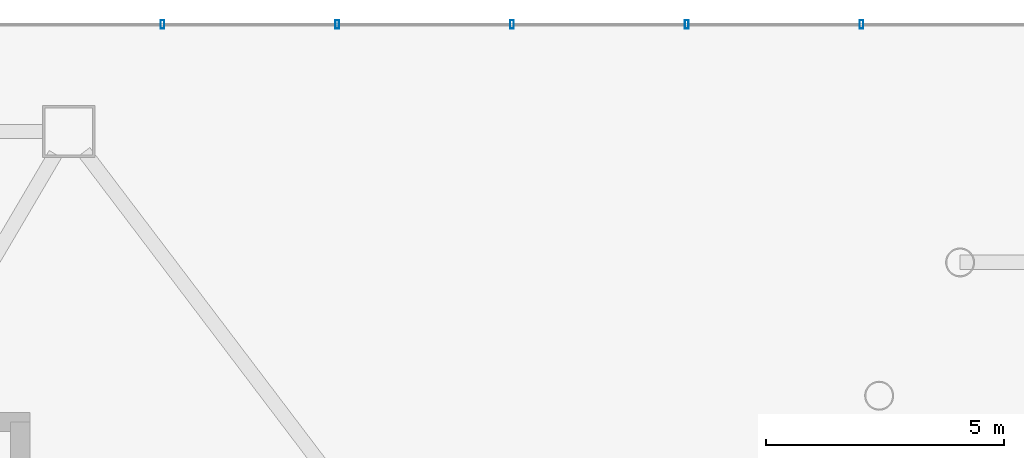
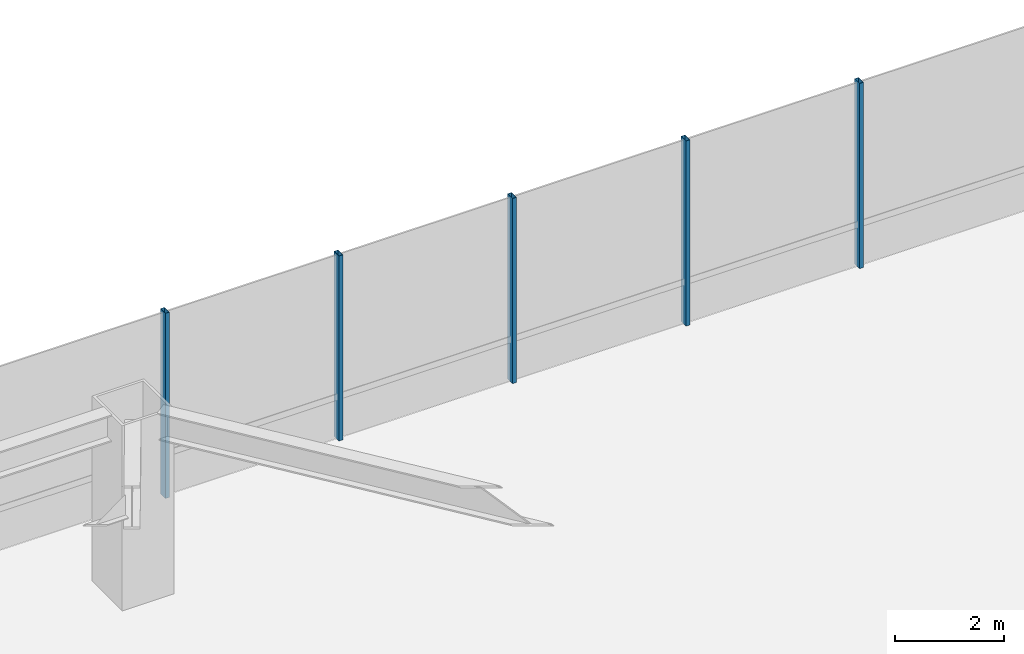
# One storey, part 25 of 37: 5 members, 1 element without a shape of its own.
"""IFC4 building model written with IfcOpenShell, lengths in metres."""

from ifc_helpers import new_model, si_unit, direction, frame, origin, origin_2d, place, context, subcontext, project, spatial, hollow_rectangle, extrude, material, layer, layer_set, material_profile, profile_set, type_object, element, aggregate, save


model = new_model("IFC4")

# Units and contexts
model_context = context("Model", 3, precision=1e-05, world=origin(), true_north=direction((0.0, 1.0)))
body_context = subcontext(model_context, "Body", "Model", "MODEL_VIEW")
ifc_project = project(units=[si_unit("LENGTHUNIT", "METRE"), si_unit("AREAUNIT", "SQUARE_METRE"), si_unit("VOLUMEUNIT", "CUBIC_METRE"), si_unit("PLANEANGLEUNIT", "RADIAN"), si_unit("MASSUNIT", "GRAM", prefix="KILO")], contexts=[model_context])

# Site, building, storey
site_placement = place(None, origin())
site = spatial("IfcSite", under=ifc_project, at=site_placement, CompositionType="ELEMENT")
building_placement = place(site_placement, origin())
building = spatial("IfcBuilding", under=site, at=building_placement, Name="Zarrinselat Tower", CompositionType="ELEMENT")
storey_placement = place(building_placement, frame((0.0, 0.0, 9.52001953125)))
storey = spatial("IfcBuildingStorey", under=building, at=storey_placement, Name="L02", CompositionType="ELEMENT", Elevation=9.52001953125)

# Curtain wall, members
ifc_material_1 = material(Name="Extruded Aluminium Alloy EN AW-6063 T6", Category="aluminium")
ifc_layer = layer(ifc_material_1, 0.2099609375)
ifc_layer_set = layer_set([ifc_layer], Name="Extruded Aluminium Alloy EN AW-6063 T6")
curtain_wall_type = type_object("IfcCurtainWallType", Name="CWS-POD", PredefinedType="NOTDEFINED", material=ifc_layer_set)
curtain_wall_placement = place(storey_placement, origin())
curtain_wall = element("IfcCurtainWall", 1, at=curtain_wall_placement, inside=storey, type_object=curtain_wall_type, Name="L02 Unitised Curtain Wall CW-L02-F5", PredefinedType="NOTDEFINED")
ifc_material_2 = material(Name="Extruded Aluminium Alloy EN AW-6063 T6", Category="aluminium")
ifc_material_profile = material_profile(ifc_material_2, hollow_rectangle(XDim=0.080078125, YDim=0.179931640625, WallThickness=0.0048828125, at=origin_2d()), Name="RHS 180x80x5")
ifc_profile_set = profile_set([ifc_material_profile], Name="Extruded Aluminium Alloy EN AW-6063 T6")
member_type = type_object("IfcMemberType", Name="MEM-CW-MUL", PredefinedType="MULLION", material=ifc_profile_set)
member_1_placement = place(storey_placement, frame((65.929443359375, 51.800048828125, 0.0), z_axis=(0.0, 0.0, 1.0), x_axis=(-1.0, 0.0, 0.0)))
member_1 = element("IfcMember", 2, at=member_1_placement, type_object=member_type, Name="CW-L02-F5 Mullion 1", PredefinedType="MULLION", context=body_context, shape_type="SweptSolid", body=[
    extrude(hollow_rectangle(XDim=0.080078125, YDim=0.179931640625, WallThickness=0.0048828125, at=origin_2d()), origin(), (0.0, 0.0, 1.0), 4.139892578125),
])
member_2_placement = place(storey_placement, frame((62.2587890625, 51.800048828125, 0.0), z_axis=(0.0, 0.0, 1.0), x_axis=(-1.0, 0.0, 0.0)))
member_2 = element("IfcMember", 3, at=member_2_placement, type_object=member_type, Name="CW-L02-F5 Mullion 2", PredefinedType="MULLION", context=body_context, shape_type="SweptSolid", body=[
    extrude(hollow_rectangle(XDim=0.080078125, YDim=0.179931640625, WallThickness=0.0048828125, at=origin_2d()), origin(), (0.0, 0.0, 1.0), 4.139892578125),
])
member_3_placement = place(storey_placement, frame((58.588134765625, 51.800048828125, 0.0), z_axis=(0.0, 0.0, 1.0), x_axis=(-1.0, 0.0, 0.0)))
member_3 = element("IfcMember", 4, at=member_3_placement, type_object=member_type, Name="CW-L02-F5 Mullion 3", PredefinedType="MULLION", context=body_context, shape_type="SweptSolid", body=[
    extrude(hollow_rectangle(XDim=0.080078125, YDim=0.179931640625, WallThickness=0.0048828125, at=origin_2d()), origin(), (0.0, 0.0, 1.0), 4.139892578125),
])
member_4_placement = place(storey_placement, frame((54.91748046875, 51.800048828125, 0.0), z_axis=(0.0, 0.0, 1.0), x_axis=(-1.0, 0.0, 0.0)))
member_4 = element("IfcMember", 5, at=member_4_placement, type_object=member_type, Name="CW-L02-F5 Mullion 4", PredefinedType="MULLION", context=body_context, shape_type="SweptSolid", body=[
    extrude(hollow_rectangle(XDim=0.080078125, YDim=0.179931640625, WallThickness=0.0048828125, at=origin_2d()), origin(), (0.0, 0.0, 1.0), 4.139892578125),
])
member_5_placement = place(storey_placement, frame((51.2470703125, 51.800048828125, 0.0), z_axis=(0.0, 0.0, 1.0), x_axis=(-1.0, 0.0, 0.0)))
member_5 = element("IfcMember", 6, at=member_5_placement, type_object=member_type, Name="CW-L02-F5 Mullion 5", PredefinedType="MULLION", context=body_context, shape_type="SweptSolid", body=[
    extrude(hollow_rectangle(XDim=0.080078125, YDim=0.179931640625, WallThickness=0.0048828125, at=origin_2d()), origin(), (0.0, 0.0, 1.0), 4.139892578125),
])
aggregate(curtain_wall, [member_1, member_2, member_3, member_4, member_5])

save(model, "model.ifc")
